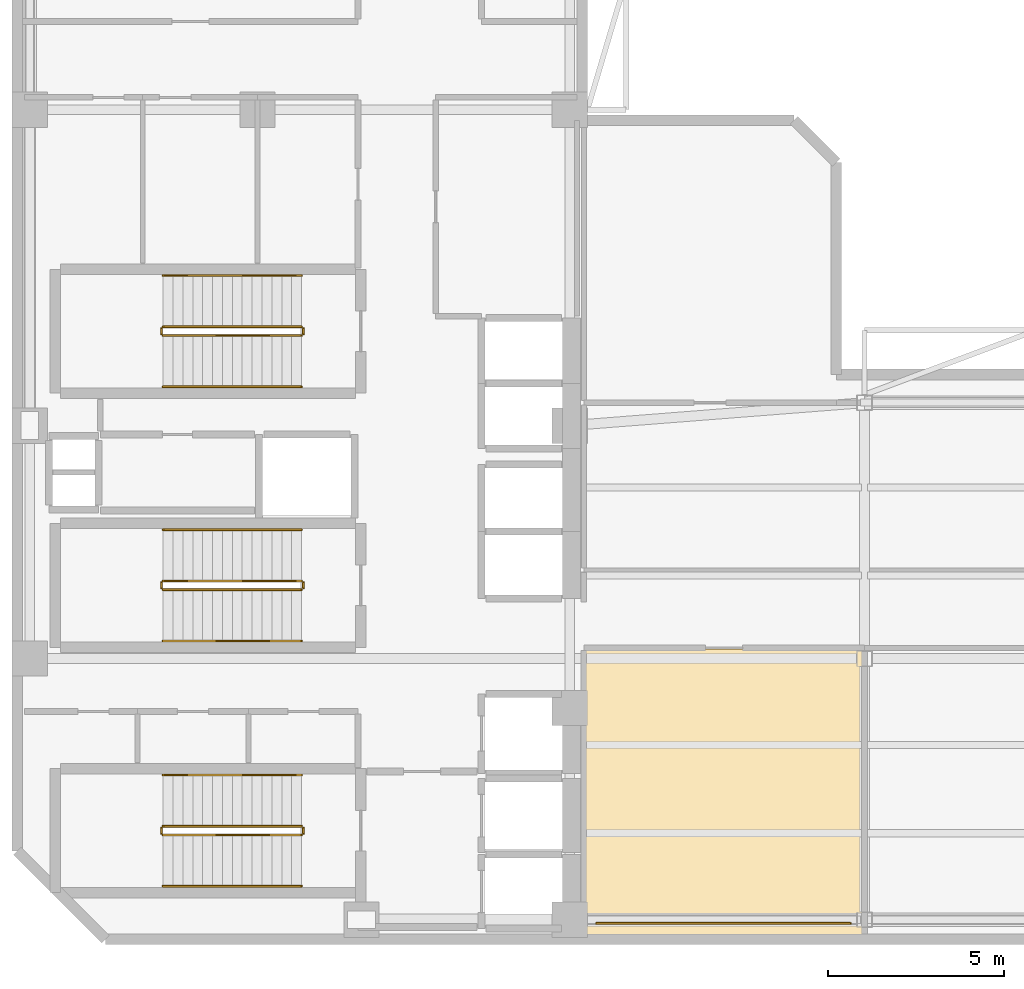
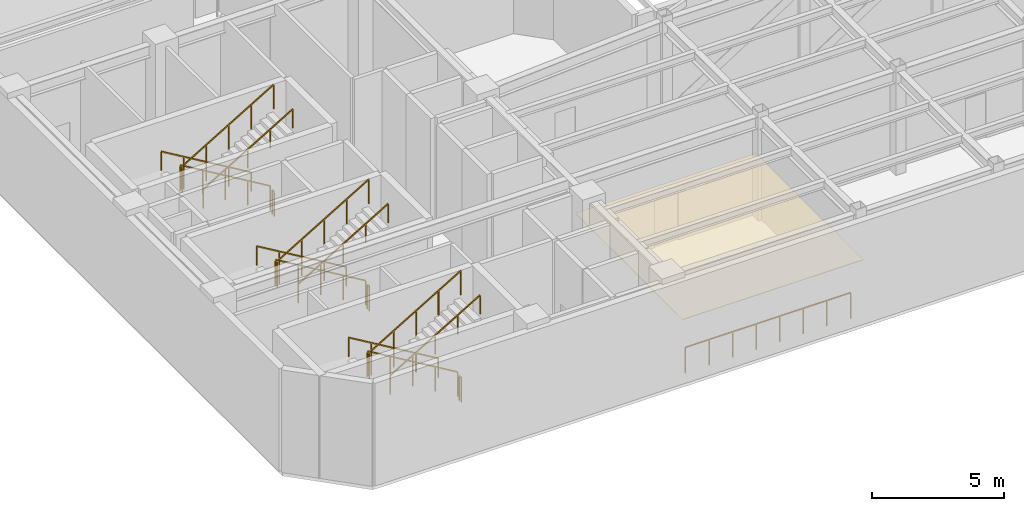
# One storey, part 6 of 7: 19 railings, 1 covering.
"""IFC4 building model written with IfcOpenShell, lengths in metres."""

from ifc_helpers import new_model, si_unit, direction, frame, origin, origin_2d, place, context, subcontext, project, spatial, polyline, rectangle, outline, extrude, material, layer, layer_set, type_object, element, save


model = new_model("IFC4")

# Units and contexts
model_context = context("Model", 3, precision=1e-05, world=origin(), true_north=direction((0.0, 1.0)))
body_context = subcontext(model_context, "Body", "Model", "MODEL_VIEW")
ifc_project = project(units=[si_unit("LENGTHUNIT", "METRE"), si_unit("AREAUNIT", "SQUARE_METRE"), si_unit("VOLUMEUNIT", "CUBIC_METRE"), si_unit("PLANEANGLEUNIT", "RADIAN"), si_unit("MASSUNIT", "GRAM", prefix="KILO")], contexts=[model_context])

# Site, building, storey
site_placement = place(None, origin())
site = spatial("IfcSite", under=ifc_project, at=site_placement, CompositionType="ELEMENT")
building_placement = place(site_placement, origin())
building = spatial("IfcBuilding", under=site, at=building_placement, Name="Mawjaban Terraces University", CompositionType="ELEMENT")
storey_placement = place(building_placement, frame((0.0, 0.0, 238.199951171875)))
storey = spatial("IfcBuildingStorey", under=building, at=storey_placement, Name="L58", CompositionType="ELEMENT", Elevation=238.199951171875)

# Covering
ifc_material_1 = material(Name="Acoustic mineral fibre ceiling tile", Category="masonry")
ifc_layer = layer(ifc_material_1, 0.02001953125)
ifc_layer_set = layer_set([ifc_layer], Name="Acoustic mineral fibre ceiling tile")
covering_type = type_object("IfcCoveringType", Name="AcousticMineralCeiling_20", PredefinedType="CEILING", material=ifc_layer_set)
covering_placement = place(storey_placement, frame((0.0, 0.0, 2.75)))
element("IfcCovering", 1, at=covering_placement, inside=storey, type_object=covering_type, Name="L58 Designated Smoke-Protected Refuge Area East Acoustic Ceiling", PredefinedType="CEILING", context=body_context, shape_type="SweptSolid", body=[
    extrude(outline(polyline([(38.080078125, 0.114990234375), (45.969970703125, 0.114990234375), (45.969970703125, 8.219970703125), (38.080078125, 8.219970703125), (38.080078125, 0.114990234375)])), origin(), (0.0, 0.0, 1.0), 0.02001953125),
])

# Railings
ifc_material_2 = material(Name="Brushed stainless steel 316", Category="steel")
railing_type_1 = type_object("IfcRailingType", Name="StairWallHandrail_900", PredefinedType="HANDRAIL", material=ifc_material_2)
railing_1_placement = place(storey_placement, frame((30.050048828125, 4.64990234375, 0.166748046875)))
element("IfcRailing", 2, at=railing_1_placement, inside=storey, type_object=railing_type_1, Name="L58 ST-1 stair handrail 1", PredefinedType="HANDRAIL", context=body_context, shape_type="SweptSolid", body=[
    extrude(rectangle(XDim=0.048095703125, YDim=0.048095703125, at=origin_2d()), frame((0.0, 0.0, 0.8759765625), z_axis=(-0.859310244771, 0.0, 0.511454693235), x_axis=(0.0, -1.0, 0.0)), (0.0, 0.0, 1.0), 4.56201171875),
    extrude(rectangle(XDim=0.0419921875, YDim=0.0419921875, at=origin_2d()), origin(), (0.0, 0.0, 1.0), 0.851806640625),
    extrude(rectangle(XDim=0.0419921875, YDim=0.0419921875, at=origin_2d()), frame((-0.97998046875, 0.0, 0.583251953125)), (0.0, 0.0, 1.0), 0.851806640625),
    extrude(rectangle(XDim=0.0419921875, YDim=0.0419921875, at=origin_2d()), frame((-1.9599609375, 0.0, 1.16650390625)), (0.0, 0.0, 1.0), 0.851806640625),
    extrude(rectangle(XDim=0.0419921875, YDim=0.0419921875, at=origin_2d()), frame((-2.940185546875, 0.0, 1.75)), (0.0, 0.0, 1.0), 0.851806640625),
    extrude(rectangle(XDim=0.0419921875, YDim=0.0419921875, at=origin_2d()), frame((-3.920166015625, 0.0, 2.333251953125)), (0.0, 0.0, 1.0), 0.851806640625),
])
railing_2_placement = place(storey_placement, frame((26.1298828125, 1.5, 2.666748046875)))
element("IfcRailing", 3, at=railing_2_placement, inside=storey, type_object=railing_type_1, Name="L58 ST-1 stair handrail 2", PredefinedType="HANDRAIL", context=body_context, shape_type="SweptSolid", body=[
    extrude(rectangle(XDim=0.048095703125, YDim=0.048095703125, at=origin_2d()), frame((0.0, 0.0, 0.8759765625), z_axis=(0.859310244771, 0.0, 0.511454693235), x_axis=(0.0, 1.0, 0.0)), (0.0, 0.0, 1.0), 4.56201171875),
    extrude(rectangle(XDim=0.0419921875, YDim=0.0419921875, at=origin_2d()), origin(), (0.0, 0.0, 1.0), 0.851806640625),
    extrude(rectangle(XDim=0.0419921875, YDim=0.0419921875, at=origin_2d()), frame((0.97998046875, 0.0, 0.583251953125)), (0.0, 0.0, 1.0), 0.851806640625),
    extrude(rectangle(XDim=0.0419921875, YDim=0.0419921875, at=origin_2d()), frame((1.9599609375, 0.0, 1.16650390625)), (0.0, 0.0, 1.0), 0.851806640625),
    extrude(rectangle(XDim=0.0419921875, YDim=0.0419921875, at=origin_2d()), frame((2.940185546875, 0.0, 1.75)), (0.0, 0.0, 1.0), 0.851806640625),
    extrude(rectangle(XDim=0.0419921875, YDim=0.0419921875, at=origin_2d()), frame((3.920166015625, 0.0, 2.333251953125)), (0.0, 0.0, 1.0), 0.851806640625),
])
railing_3_placement = place(storey_placement, frame((30.050048828125, 18.800048828125, 0.166748046875)))
element("IfcRailing", 4, at=railing_3_placement, inside=storey, type_object=railing_type_1, Name="L58 ST-2 stair handrail 1", PredefinedType="HANDRAIL", context=body_context, shape_type="SweptSolid", body=[
    extrude(rectangle(XDim=0.048095703125, YDim=0.048095703125, at=origin_2d()), frame((0.0, 0.0, 0.8759765625), z_axis=(-0.859310244771, 0.0, 0.511454693235), x_axis=(0.0, -1.0, 0.0)), (0.0, 0.0, 1.0), 4.56201171875),
    extrude(rectangle(XDim=0.0419921875, YDim=0.0419921875, at=origin_2d()), origin(), (0.0, 0.0, 1.0), 0.851806640625),
    extrude(rectangle(XDim=0.0419921875, YDim=0.0419921875, at=origin_2d()), frame((-0.97998046875, 0.0, 0.583251953125)), (0.0, 0.0, 1.0), 0.851806640625),
    extrude(rectangle(XDim=0.0419921875, YDim=0.0419921875, at=origin_2d()), frame((-1.9599609375, 0.0, 1.16650390625)), (0.0, 0.0, 1.0), 0.851806640625),
    extrude(rectangle(XDim=0.0419921875, YDim=0.0419921875, at=origin_2d()), frame((-2.940185546875, 0.0, 1.75)), (0.0, 0.0, 1.0), 0.851806640625),
    extrude(rectangle(XDim=0.0419921875, YDim=0.0419921875, at=origin_2d()), frame((-3.920166015625, 0.0, 2.333251953125)), (0.0, 0.0, 1.0), 0.851806640625),
])
railing_4_placement = place(storey_placement, frame((26.1298828125, 15.64990234375, 2.666748046875)))
element("IfcRailing", 5, at=railing_4_placement, inside=storey, type_object=railing_type_1, Name="L58 ST-2 stair handrail 2", PredefinedType="HANDRAIL", context=body_context, shape_type="SweptSolid", body=[
    extrude(rectangle(XDim=0.048095703125, YDim=0.048095703125, at=origin_2d()), frame((0.0, 0.0, 0.8759765625), z_axis=(0.859310244771, 0.0, 0.511454693235), x_axis=(0.0, 1.0, 0.0)), (0.0, 0.0, 1.0), 4.56201171875),
    extrude(rectangle(XDim=0.0419921875, YDim=0.0419921875, at=origin_2d()), origin(), (0.0, 0.0, 1.0), 0.851806640625),
    extrude(rectangle(XDim=0.0419921875, YDim=0.0419921875, at=origin_2d()), frame((0.97998046875, 0.0, 0.583251953125)), (0.0, 0.0, 1.0), 0.851806640625),
    extrude(rectangle(XDim=0.0419921875, YDim=0.0419921875, at=origin_2d()), frame((1.9599609375, 0.0, 1.16650390625)), (0.0, 0.0, 1.0), 0.851806640625),
    extrude(rectangle(XDim=0.0419921875, YDim=0.0419921875, at=origin_2d()), frame((2.940185546875, 0.0, 1.75)), (0.0, 0.0, 1.0), 0.851806640625),
    extrude(rectangle(XDim=0.0419921875, YDim=0.0419921875, at=origin_2d()), frame((3.920166015625, 0.0, 2.333251953125)), (0.0, 0.0, 1.0), 0.851806640625),
])
railing_5_placement = place(storey_placement, frame((30.050048828125, 11.60009765625, 0.166748046875)))
element("IfcRailing", 6, at=railing_5_placement, inside=storey, type_object=railing_type_1, Name="L58 ST-3 stair handrail 1", PredefinedType="HANDRAIL", context=body_context, shape_type="SweptSolid", body=[
    extrude(rectangle(XDim=0.048095703125, YDim=0.048095703125, at=origin_2d()), frame((0.0, 0.0, 0.8759765625), z_axis=(-0.859310244771, 0.0, 0.511454693235), x_axis=(0.0, -1.0, 0.0)), (0.0, 0.0, 1.0), 4.56201171875),
    extrude(rectangle(XDim=0.0419921875, YDim=0.0419921875, at=origin_2d()), origin(), (0.0, 0.0, 1.0), 0.851806640625),
    extrude(rectangle(XDim=0.0419921875, YDim=0.0419921875, at=origin_2d()), frame((-0.97998046875, 0.0, 0.583251953125)), (0.0, 0.0, 1.0), 0.851806640625),
    extrude(rectangle(XDim=0.0419921875, YDim=0.0419921875, at=origin_2d()), frame((-1.9599609375, 0.0, 1.16650390625)), (0.0, 0.0, 1.0), 0.851806640625),
    extrude(rectangle(XDim=0.0419921875, YDim=0.0419921875, at=origin_2d()), frame((-2.940185546875, 0.0, 1.75)), (0.0, 0.0, 1.0), 0.851806640625),
    extrude(rectangle(XDim=0.0419921875, YDim=0.0419921875, at=origin_2d()), frame((-3.920166015625, 0.0, 2.333251953125)), (0.0, 0.0, 1.0), 0.851806640625),
])
railing_6_placement = place(storey_placement, frame((26.1298828125, 8.449951171875, 2.666748046875)))
element("IfcRailing", 7, at=railing_6_placement, inside=storey, type_object=railing_type_1, Name="L58 ST-3 stair handrail 2", PredefinedType="HANDRAIL", context=body_context, shape_type="SweptSolid", body=[
    extrude(rectangle(XDim=0.048095703125, YDim=0.048095703125, at=origin_2d()), frame((0.0, 0.0, 0.8759765625), z_axis=(0.859310244771, 0.0, 0.511454693235), x_axis=(0.0, 1.0, 0.0)), (0.0, 0.0, 1.0), 4.56201171875),
    extrude(rectangle(XDim=0.0419921875, YDim=0.0419921875, at=origin_2d()), origin(), (0.0, 0.0, 1.0), 0.851806640625),
    extrude(rectangle(XDim=0.0419921875, YDim=0.0419921875, at=origin_2d()), frame((0.97998046875, 0.0, 0.583251953125)), (0.0, 0.0, 1.0), 0.851806640625),
    extrude(rectangle(XDim=0.0419921875, YDim=0.0419921875, at=origin_2d()), frame((1.9599609375, 0.0, 1.16650390625)), (0.0, 0.0, 1.0), 0.851806640625),
    extrude(rectangle(XDim=0.0419921875, YDim=0.0419921875, at=origin_2d()), frame((2.940185546875, 0.0, 1.75)), (0.0, 0.0, 1.0), 0.851806640625),
    extrude(rectangle(XDim=0.0419921875, YDim=0.0419921875, at=origin_2d()), frame((3.920166015625, 0.0, 2.333251953125)), (0.0, 0.0, 1.0), 0.851806640625),
])
ifc_material_3 = material(Name="Galvanised painted steel S355", Category="steel")
railing_type_2 = type_object("IfcRailingType", Name="StairWellGuard_1150", PredefinedType="BALUSTRADE", material=ifc_material_3)
railing_7_placement = place(storey_placement, frame((30.050048828125, 3.199951171875, 0.166748046875)))
element("IfcRailing", 8, at=railing_7_placement, inside=storey, type_object=railing_type_2, Name="L58 ST-1 stair guard 1", PredefinedType="BALUSTRADE", context=body_context, shape_type="SweptSolid", body=[
    extrude(rectangle(XDim=0.048095703125, YDim=0.048095703125, at=origin_2d()), frame((0.0, 0.0, 1.1259765625), z_axis=(-0.859310244771, 0.0, 0.511454693235), x_axis=(0.0, -1.0, 0.0)), (0.0, 0.0, 1.0), 4.56201171875),
    extrude(rectangle(XDim=0.0419921875, YDim=0.0419921875, at=origin_2d()), origin(), (0.0, 0.0, 1.0), 1.101806640625),
    extrude(rectangle(XDim=0.0419921875, YDim=0.0419921875, at=origin_2d()), frame((-0.97998046875, 0.0, 0.583251953125)), (0.0, 0.0, 1.0), 1.101806640625),
    extrude(rectangle(XDim=0.0419921875, YDim=0.0419921875, at=origin_2d()), frame((-1.9599609375, 0.0, 1.16650390625)), (0.0, 0.0, 1.0), 1.101806640625),
    extrude(rectangle(XDim=0.0419921875, YDim=0.0419921875, at=origin_2d()), frame((-2.940185546875, 0.0, 1.75)), (0.0, 0.0, 1.0), 1.101806640625),
    extrude(rectangle(XDim=0.0419921875, YDim=0.0419921875, at=origin_2d()), frame((-3.920166015625, 0.0, 2.333251953125)), (0.0, 0.0, 1.0), 1.101806640625),
])
railing_8_placement = place(storey_placement, frame((26.080078125, 3.14990234375, 2.5)))
element("IfcRailing", 9, at=railing_8_placement, inside=storey, type_object=railing_type_2, Name="L58 ST-1 stair guard 2", PredefinedType="BALUSTRADE", context=body_context, shape_type="SweptSolid", body=[
    extrude(rectangle(XDim=0.048095703125, YDim=0.048095703125, at=origin_2d()), frame((0.0, 0.0, 1.1259765625), z_axis=(0.0, -1.0, 0.0), x_axis=(1.0, 0.0, 0.0)), (0.0, 0.0, 1.0), 0.14990234375),
    extrude(rectangle(XDim=0.0419921875, YDim=0.0419921875, at=origin_2d()), origin(), (0.0, 0.0, 1.0), 1.101806640625),
    extrude(rectangle(XDim=0.0419921875, YDim=0.0419921875, at=origin_2d()), frame((0.0, -0.14990234375, 0.0)), (0.0, 0.0, 1.0), 1.101806640625),
])
railing_9_placement = place(storey_placement, frame((26.1298828125, 2.949951171875, 2.666748046875)))
element("IfcRailing", 10, at=railing_9_placement, inside=storey, type_object=railing_type_2, Name="L58 ST-1 stair guard 3", PredefinedType="BALUSTRADE", context=body_context, shape_type="SweptSolid", body=[
    extrude(rectangle(XDim=0.048095703125, YDim=0.048095703125, at=origin_2d()), frame((0.0, 0.0, 1.1259765625), z_axis=(0.859310244771, 0.0, 0.511454693235), x_axis=(0.0, 1.0, 0.0)), (0.0, 0.0, 1.0), 4.56201171875),
    extrude(rectangle(XDim=0.0419921875, YDim=0.0419921875, at=origin_2d()), origin(), (0.0, 0.0, 1.0), 1.101806640625),
    extrude(rectangle(XDim=0.0419921875, YDim=0.0419921875, at=origin_2d()), frame((0.97998046875, 0.0, 0.583251953125)), (0.0, 0.0, 1.0), 1.101806640625),
    extrude(rectangle(XDim=0.0419921875, YDim=0.0419921875, at=origin_2d()), frame((1.9599609375, 0.0, 1.16650390625)), (0.0, 0.0, 1.0), 1.101806640625),
    extrude(rectangle(XDim=0.0419921875, YDim=0.0419921875, at=origin_2d()), frame((2.940185546875, 0.0, 1.75)), (0.0, 0.0, 1.0), 1.101806640625),
    extrude(rectangle(XDim=0.0419921875, YDim=0.0419921875, at=origin_2d()), frame((3.920166015625, 0.0, 2.333251953125)), (0.0, 0.0, 1.0), 1.101806640625),
])
railing_10_placement = place(storey_placement, frame((30.10009765625, 3.14990234375, 0.0)))
element("IfcRailing", 11, at=railing_10_placement, inside=storey, type_object=railing_type_2, Name="L58 ST-1 stair guard 4", PredefinedType="BALUSTRADE", context=body_context, shape_type="SweptSolid", body=[
    extrude(rectangle(XDim=0.048095703125, YDim=0.048095703125, at=origin_2d()), frame((0.0, 0.0, 1.1259765625), z_axis=(0.0, -1.0, 0.0), x_axis=(1.0, 0.0, 0.0)), (0.0, 0.0, 1.0), 0.14990234375),
    extrude(rectangle(XDim=0.0419921875, YDim=0.0419921875, at=origin_2d()), origin(), (0.0, 0.0, 1.0), 1.101806640625),
    extrude(rectangle(XDim=0.0419921875, YDim=0.0419921875, at=origin_2d()), frame((0.0, -0.14990234375, 0.0)), (0.0, 0.0, 1.0), 1.101806640625),
])
railing_11_placement = place(storey_placement, frame((30.050048828125, 17.35009765625, 0.166748046875)))
element("IfcRailing", 12, at=railing_11_placement, inside=storey, type_object=railing_type_2, Name="L58 ST-2 stair guard 1", PredefinedType="BALUSTRADE", context=body_context, shape_type="SweptSolid", body=[
    extrude(rectangle(XDim=0.048095703125, YDim=0.048095703125, at=origin_2d()), frame((0.0, 0.0, 1.1259765625), z_axis=(-0.859310244771, 0.0, 0.511454693235), x_axis=(0.0, -1.0, 0.0)), (0.0, 0.0, 1.0), 4.56201171875),
    extrude(rectangle(XDim=0.0419921875, YDim=0.0419921875, at=origin_2d()), origin(), (0.0, 0.0, 1.0), 1.101806640625),
    extrude(rectangle(XDim=0.0419921875, YDim=0.0419921875, at=origin_2d()), frame((-0.97998046875, 0.0, 0.583251953125)), (0.0, 0.0, 1.0), 1.101806640625),
    extrude(rectangle(XDim=0.0419921875, YDim=0.0419921875, at=origin_2d()), frame((-1.9599609375, 0.0, 1.16650390625)), (0.0, 0.0, 1.0), 1.101806640625),
    extrude(rectangle(XDim=0.0419921875, YDim=0.0419921875, at=origin_2d()), frame((-2.940185546875, 0.0, 1.75)), (0.0, 0.0, 1.0), 1.101806640625),
    extrude(rectangle(XDim=0.0419921875, YDim=0.0419921875, at=origin_2d()), frame((-3.920166015625, 0.0, 2.333251953125)), (0.0, 0.0, 1.0), 1.101806640625),
])
railing_12_placement = place(storey_placement, frame((26.080078125, 17.300048828125, 2.5)))
element("IfcRailing", 13, at=railing_12_placement, inside=storey, type_object=railing_type_2, Name="L58 ST-2 stair guard 2", PredefinedType="BALUSTRADE", context=body_context, shape_type="SweptSolid", body=[
    extrude(rectangle(XDim=0.048095703125, YDim=0.048095703125, at=origin_2d()), frame((0.0, 0.0, 1.1259765625), z_axis=(0.0, -1.0, 0.0), x_axis=(1.0, 0.0, 0.0)), (0.0, 0.0, 1.0), 0.150146484375),
    extrude(rectangle(XDim=0.0419921875, YDim=0.0419921875, at=origin_2d()), origin(), (0.0, 0.0, 1.0), 1.101806640625),
    extrude(rectangle(XDim=0.0419921875, YDim=0.0419921875, at=origin_2d()), frame((0.0, -0.150146484375, 0.0)), (0.0, 0.0, 1.0), 1.101806640625),
])
railing_13_placement = place(storey_placement, frame((26.1298828125, 17.10009765625, 2.666748046875)))
element("IfcRailing", 14, at=railing_13_placement, inside=storey, type_object=railing_type_2, Name="L58 ST-2 stair guard 3", PredefinedType="BALUSTRADE", context=body_context, shape_type="SweptSolid", body=[
    extrude(rectangle(XDim=0.048095703125, YDim=0.048095703125, at=origin_2d()), frame((0.0, 0.0, 1.1259765625), z_axis=(0.859310244771, 0.0, 0.511454693235), x_axis=(0.0, 1.0, 0.0)), (0.0, 0.0, 1.0), 4.56201171875),
    extrude(rectangle(XDim=0.0419921875, YDim=0.0419921875, at=origin_2d()), origin(), (0.0, 0.0, 1.0), 1.101806640625),
    extrude(rectangle(XDim=0.0419921875, YDim=0.0419921875, at=origin_2d()), frame((0.97998046875, 0.0, 0.583251953125)), (0.0, 0.0, 1.0), 1.101806640625),
    extrude(rectangle(XDim=0.0419921875, YDim=0.0419921875, at=origin_2d()), frame((1.9599609375, 0.0, 1.16650390625)), (0.0, 0.0, 1.0), 1.101806640625),
    extrude(rectangle(XDim=0.0419921875, YDim=0.0419921875, at=origin_2d()), frame((2.940185546875, 0.0, 1.75)), (0.0, 0.0, 1.0), 1.101806640625),
    extrude(rectangle(XDim=0.0419921875, YDim=0.0419921875, at=origin_2d()), frame((3.920166015625, 0.0, 2.333251953125)), (0.0, 0.0, 1.0), 1.101806640625),
])
railing_14_placement = place(storey_placement, frame((30.10009765625, 17.300048828125, 0.0)))
element("IfcRailing", 15, at=railing_14_placement, inside=storey, type_object=railing_type_2, Name="L58 ST-2 stair guard 4", PredefinedType="BALUSTRADE", context=body_context, shape_type="SweptSolid", body=[
    extrude(rectangle(XDim=0.048095703125, YDim=0.048095703125, at=origin_2d()), frame((0.0, 0.0, 1.1259765625), z_axis=(0.0, -1.0, 0.0), x_axis=(1.0, 0.0, 0.0)), (0.0, 0.0, 1.0), 0.150146484375),
    extrude(rectangle(XDim=0.0419921875, YDim=0.0419921875, at=origin_2d()), origin(), (0.0, 0.0, 1.0), 1.101806640625),
    extrude(rectangle(XDim=0.0419921875, YDim=0.0419921875, at=origin_2d()), frame((0.0, -0.150146484375, 0.0)), (0.0, 0.0, 1.0), 1.101806640625),
])
railing_15_placement = place(storey_placement, frame((30.050048828125, 10.14990234375, 0.166748046875)))
element("IfcRailing", 16, at=railing_15_placement, inside=storey, type_object=railing_type_2, Name="L58 ST-3 stair guard 1", PredefinedType="BALUSTRADE", context=body_context, shape_type="SweptSolid", body=[
    extrude(rectangle(XDim=0.048095703125, YDim=0.048095703125, at=origin_2d()), frame((0.0, 0.0, 1.1259765625), z_axis=(-0.859310244771, 0.0, 0.511454693235), x_axis=(0.0, -1.0, 0.0)), (0.0, 0.0, 1.0), 4.56201171875),
    extrude(rectangle(XDim=0.0419921875, YDim=0.0419921875, at=origin_2d()), origin(), (0.0, 0.0, 1.0), 1.101806640625),
    extrude(rectangle(XDim=0.0419921875, YDim=0.0419921875, at=origin_2d()), frame((-0.97998046875, 0.0, 0.583251953125)), (0.0, 0.0, 1.0), 1.101806640625),
    extrude(rectangle(XDim=0.0419921875, YDim=0.0419921875, at=origin_2d()), frame((-1.9599609375, 0.0, 1.16650390625)), (0.0, 0.0, 1.0), 1.101806640625),
    extrude(rectangle(XDim=0.0419921875, YDim=0.0419921875, at=origin_2d()), frame((-2.940185546875, 0.0, 1.75)), (0.0, 0.0, 1.0), 1.101806640625),
    extrude(rectangle(XDim=0.0419921875, YDim=0.0419921875, at=origin_2d()), frame((-3.920166015625, 0.0, 2.333251953125)), (0.0, 0.0, 1.0), 1.101806640625),
])
railing_16_placement = place(storey_placement, frame((26.080078125, 10.10009765625, 2.5)))
element("IfcRailing", 17, at=railing_16_placement, inside=storey, type_object=railing_type_2, Name="L58 ST-3 stair guard 2", PredefinedType="BALUSTRADE", context=body_context, shape_type="SweptSolid", body=[
    extrude(rectangle(XDim=0.048095703125, YDim=0.048095703125, at=origin_2d()), frame((0.0, 0.0, 1.1259765625), z_axis=(0.0, -1.0, 0.0), x_axis=(1.0, 0.0, 0.0)), (0.0, 0.0, 1.0), 0.150146484375),
    extrude(rectangle(XDim=0.0419921875, YDim=0.0419921875, at=origin_2d()), origin(), (0.0, 0.0, 1.0), 1.101806640625),
    extrude(rectangle(XDim=0.0419921875, YDim=0.0419921875, at=origin_2d()), frame((0.0, -0.150146484375, 0.0)), (0.0, 0.0, 1.0), 1.101806640625),
])
railing_17_placement = place(storey_placement, frame((26.1298828125, 9.89990234375, 2.666748046875)))
element("IfcRailing", 18, at=railing_17_placement, inside=storey, type_object=railing_type_2, Name="L58 ST-3 stair guard 3", PredefinedType="BALUSTRADE", context=body_context, shape_type="SweptSolid", body=[
    extrude(rectangle(XDim=0.048095703125, YDim=0.048095703125, at=origin_2d()), frame((0.0, 0.0, 1.1259765625), z_axis=(0.859310244771, 0.0, 0.511454693235), x_axis=(0.0, 1.0, 0.0)), (0.0, 0.0, 1.0), 4.56201171875),
    extrude(rectangle(XDim=0.0419921875, YDim=0.0419921875, at=origin_2d()), origin(), (0.0, 0.0, 1.0), 1.101806640625),
    extrude(rectangle(XDim=0.0419921875, YDim=0.0419921875, at=origin_2d()), frame((0.97998046875, 0.0, 0.583251953125)), (0.0, 0.0, 1.0), 1.101806640625),
    extrude(rectangle(XDim=0.0419921875, YDim=0.0419921875, at=origin_2d()), frame((1.9599609375, 0.0, 1.16650390625)), (0.0, 0.0, 1.0), 1.101806640625),
    extrude(rectangle(XDim=0.0419921875, YDim=0.0419921875, at=origin_2d()), frame((2.940185546875, 0.0, 1.75)), (0.0, 0.0, 1.0), 1.101806640625),
    extrude(rectangle(XDim=0.0419921875, YDim=0.0419921875, at=origin_2d()), frame((3.920166015625, 0.0, 2.333251953125)), (0.0, 0.0, 1.0), 1.101806640625),
])
railing_18_placement = place(storey_placement, frame((30.10009765625, 10.10009765625, 0.0)))
element("IfcRailing", 19, at=railing_18_placement, inside=storey, type_object=railing_type_2, Name="L58 ST-3 stair guard 4", PredefinedType="BALUSTRADE", context=body_context, shape_type="SweptSolid", body=[
    extrude(rectangle(XDim=0.048095703125, YDim=0.048095703125, at=origin_2d()), frame((0.0, 0.0, 1.1259765625), z_axis=(0.0, -1.0, 0.0), x_axis=(1.0, 0.0, 0.0)), (0.0, 0.0, 1.0), 0.150146484375),
    extrude(rectangle(XDim=0.0419921875, YDim=0.0419921875, at=origin_2d()), origin(), (0.0, 0.0, 1.0), 1.101806640625),
    extrude(rectangle(XDim=0.0419921875, YDim=0.0419921875, at=origin_2d()), frame((0.0, -0.150146484375, 0.0)), (0.0, 0.0, 1.0), 1.101806640625),
])
ifc_material_4 = material(Name="Galvanised powder-coated steel S355", Category="steel")
railing_type_3 = type_object("IfcRailingType", Name="TerraceGuardrail_1200", PredefinedType="GUARDRAIL", material=ifc_material_4)
railing_19_placement = place(storey_placement, frame((38.39990234375, 0.449951171875, 0.0)))
element("IfcRailing", 20, at=railing_19_placement, inside=storey, type_object=railing_type_3, Name="L58 Open-Band Refuge Guardrail South", PredefinedType="GUARDRAIL", context=body_context, shape_type="SweptSolid", body=[
    extrude(rectangle(XDim=0.048095703125, YDim=0.048095703125, at=origin_2d()), frame((0.0, 0.0, 1.17578125), z_axis=(1.0, 0.0, 0.0), x_axis=(0.0, 1.0, 0.0)), (0.0, 0.0, 1.0), 7.2001953125),
    extrude(rectangle(XDim=0.0419921875, YDim=0.0419921875, at=origin_2d()), origin(), (0.0, 0.0, 1.0), 1.15185546875),
    extrude(rectangle(XDim=0.0419921875, YDim=0.0419921875, at=origin_2d()), frame((1.028564453125, 0.0, 0.0)), (0.0, 0.0, 1.0), 1.15185546875),
    extrude(rectangle(XDim=0.0419921875, YDim=0.0419921875, at=origin_2d()), frame((2.05712890625, 0.0, 0.0)), (0.0, 0.0, 1.0), 1.15185546875),
    extrude(rectangle(XDim=0.0419921875, YDim=0.0419921875, at=origin_2d()), frame((3.085693359375, 0.0, 0.0)), (0.0, 0.0, 1.0), 1.15185546875),
    extrude(rectangle(XDim=0.0419921875, YDim=0.0419921875, at=origin_2d()), frame((4.114501953125, 0.0, 0.0)), (0.0, 0.0, 1.0), 1.15185546875),
    extrude(rectangle(XDim=0.0419921875, YDim=0.0419921875, at=origin_2d()), frame((5.14306640625, 0.0, 0.0)), (0.0, 0.0, 1.0), 1.15185546875),
    extrude(rectangle(XDim=0.0419921875, YDim=0.0419921875, at=origin_2d()), frame((6.171630859375, 0.0, 0.0)), (0.0, 0.0, 1.0), 1.15185546875),
    extrude(rectangle(XDim=0.0419921875, YDim=0.0419921875, at=origin_2d()), frame((7.2001953125, 0.0, 0.0)), (0.0, 0.0, 1.0), 1.15185546875),
])

save(model, "model.ifc")
